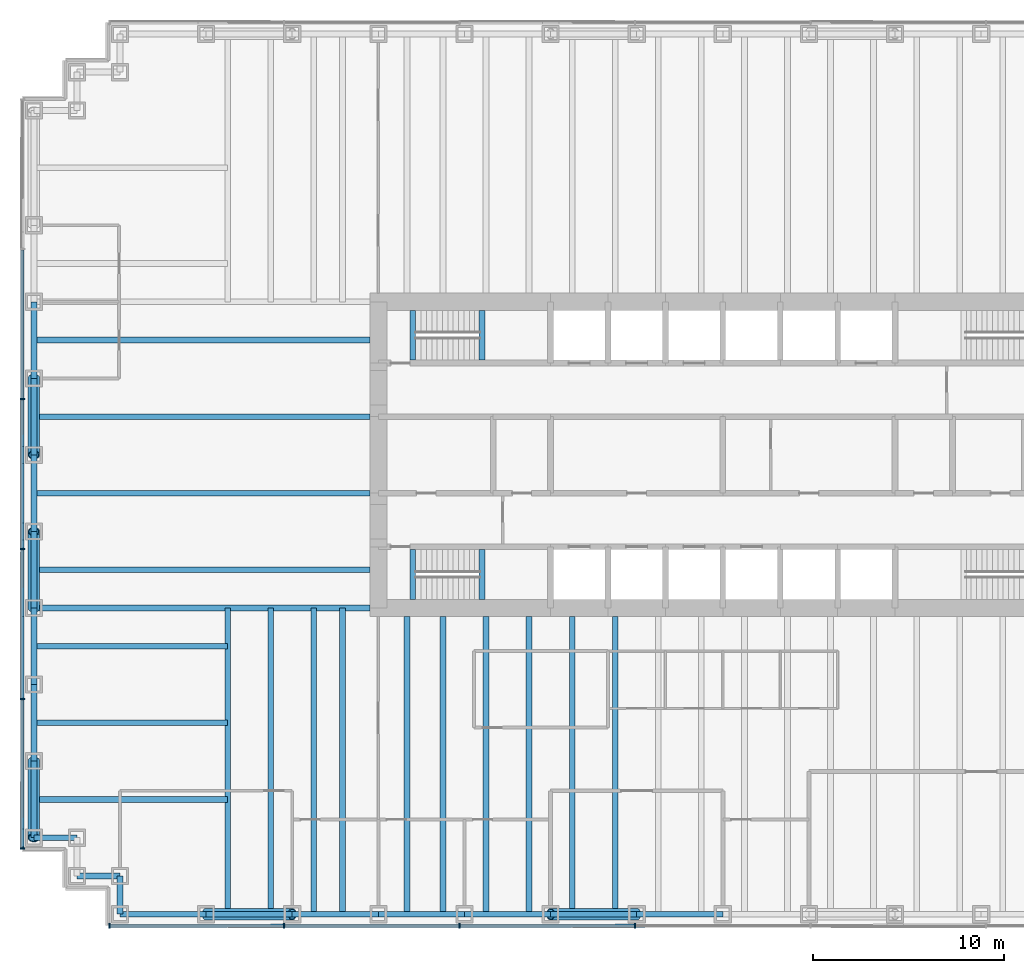
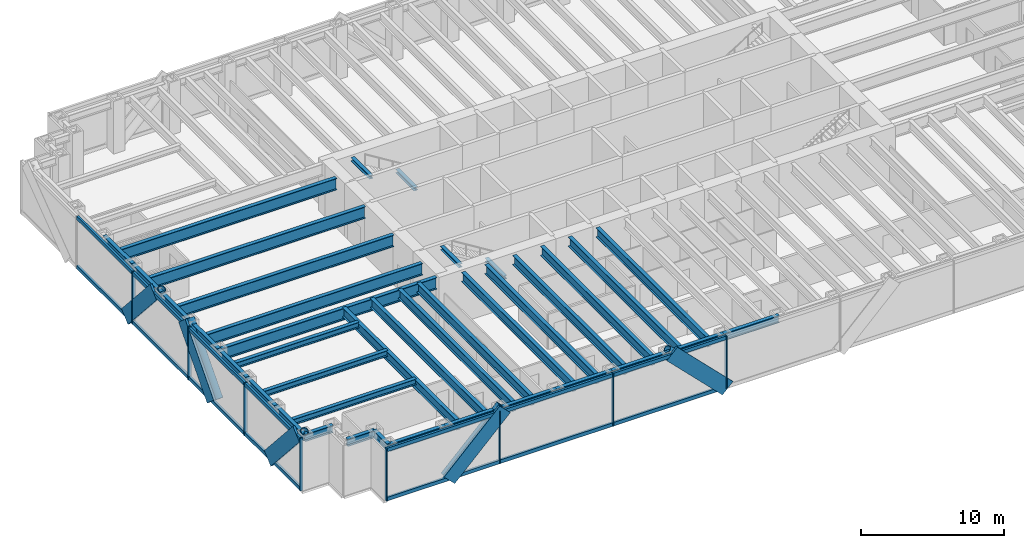
# One storey, part 2 of 13: 39 beams, 32 members, 2 elements without a shape of their own.
"""IFC4 building model written with IfcOpenShell, lengths in metres."""

from ifc_helpers import new_model, si_unit, direction, frame, origin, origin_2d, place, context, subcontext, project, spatial, rectangle, hollow_circle, i_section, extrude, material, material_profile, profile_set, type_object, element, aggregate, save


model = new_model("IFC4")

# Units and contexts
model_context = context("Model", 3, precision=1e-05, world=origin(), true_north=direction((0.0, 1.0)))
body_context = subcontext(model_context, "Body", "Model", "MODEL_VIEW")
ifc_project = project(units=[si_unit("LENGTHUNIT", "METRE"), si_unit("AREAUNIT", "SQUARE_METRE"), si_unit("VOLUMEUNIT", "CUBIC_METRE"), si_unit("PLANEANGLEUNIT", "RADIAN"), si_unit("MASSUNIT", "GRAM", prefix="KILO")], contexts=[model_context])

# Site, building, storey
site_placement = place(None, origin())
site = spatial("IfcSite", under=ifc_project, at=site_placement, CompositionType="ELEMENT")
building_placement = place(site_placement, origin())
building = spatial("IfcBuilding", under=site, at=building_placement, Name="Rheinbord Bourse Tower", CompositionType="ELEMENT")
storey_placement = place(building_placement, frame((0.0, 0.0, 36.5)))
storey = spatial("IfcBuildingStorey", under=building, at=storey_placement, Name="L07", CompositionType="ELEMENT", Elevation=36.5)

# Curtain wall, members
ifc_material_1 = material(Name="Dark glass and black aluminium", Category="aluminium")
curtain_wall_type = type_object("IfcCurtainWallType", Name="CW1 DARK GLASS CURTAIN WALL", PredefinedType="USERDEFINED", material=ifc_material_1)
curtain_wall_1_placement = place(storey_placement, origin())
curtain_wall_1 = element("IfcCurtainWall", 1, at=curtain_wall_1_placement, inside=storey, type_object=curtain_wall_type, Name="Curtain wall CW1 S L07", ObjectType="UNITISED CURTAIN WALL", PredefinedType="USERDEFINED")
ifc_material_2 = material(Name="Black anodised aluminium", Category="aluminium")
ifc_material_profile_1 = material_profile(ifc_material_2, rectangle(XDim=0.179931640625, YDim=1.2099609375, at=origin_2d()), Name="CW1 DIAGONAL MULLION 1210x180")
ifc_profile_set_1 = profile_set([ifc_material_profile_1], Name="Black anodised aluminium")
member_type_1 = type_object("IfcMemberType", Name="CW1 BLACK DIAGONAL MULLION", PredefinedType="USERDEFINED", material=ifc_profile_set_1)
member_1_placement = place(storey_placement, frame((31.5, -0.60009765625, 0.0), z_axis=(-0.707106781187, 0.0, 0.707106781187), x_axis=(0.0, -1.0, 0.0)))
member_1 = element("IfcMember", 2, at=member_1_placement, type_object=member_type_1, Name="CW1 diagonal mullion b", ObjectType="DIAGONAL MULLION", PredefinedType="USERDEFINED", context=body_context, shape_type="SweptSolid", body=[
    extrude(rectangle(XDim=0.179931640625, YDim=1.2099609375, at=origin_2d()), origin(), (0.0, 0.0, 1.0), 6.364013671875),
])
member_2_placement = place(storey_placement, frame((9.0, -0.60009765625, 0.0), z_axis=(0.707106781187, 0.0, 0.707106781187), x_axis=(0.0, 1.0, 0.0)))
member_2 = element("IfcMember", 3, at=member_2_placement, type_object=member_type_1, Name="CW1 diagonal mullion d", ObjectType="DIAGONAL MULLION", PredefinedType="USERDEFINED", context=body_context, shape_type="SweptSolid", body=[
    extrude(rectangle(XDim=0.179931640625, YDim=1.2099609375, at=origin_2d()), origin(), (0.0, 0.0, 1.0), 6.364013671875),
])

curtain_wall_2_placement = place(storey_placement, origin())
curtain_wall_2 = element("IfcCurtainWall", 4, at=curtain_wall_2_placement, inside=storey, type_object=curtain_wall_type, Name="Curtain wall CW1 W L07", ObjectType="UNITISED CURTAIN WALL", PredefinedType="USERDEFINED")
member_3_placement = place(storey_placement, frame((-0.60009765625, 8.0, 0.0), z_axis=(0.0, -0.66436383883, 0.747409318684), x_axis=(1.0, 0.0, 0.0)))
member_3 = element("IfcMember", 5, at=member_3_placement, type_object=member_type_1, Name="CW1 diagonal mullion b", ObjectType="DIAGONAL MULLION", PredefinedType="USERDEFINED", context=body_context, shape_type="SweptSolid", body=[
    extrude(rectangle(XDim=0.179931640625, YDim=1.2099609375, at=origin_2d()), origin(), (0.0, 0.0, 1.0), 6.020751953125),
])
member_4_placement = place(storey_placement, frame((-0.60009765625, 28.0, 0.0), z_axis=(0.0, -0.66436383883, 0.747409318684), x_axis=(1.0, 0.0, 0.0)))
member_4 = element("IfcMember", 6, at=member_4_placement, type_object=member_type_1, Name="CW1 diagonal mullion c", ObjectType="DIAGONAL MULLION", PredefinedType="USERDEFINED", context=body_context, shape_type="SweptSolid", body=[
    extrude(rectangle(XDim=0.179931640625, YDim=1.2099609375, at=origin_2d()), origin(), (0.0, 0.0, 1.0), 6.020751953125),
])
member_5_placement = place(storey_placement, frame((-0.60009765625, 16.0, 0.0), z_axis=(0.0, 0.66436383883, 0.747409318684), x_axis=(-1.0, 0.0, 0.0)))
member_5 = element("IfcMember", 7, at=member_5_placement, type_object=member_type_1, Name="CW1 diagonal mullion d", ObjectType="DIAGONAL MULLION", PredefinedType="USERDEFINED", context=body_context, shape_type="SweptSolid", body=[
    extrude(rectangle(XDim=0.179931640625, YDim=1.2099609375, at=origin_2d()), origin(), (0.0, 0.0, 1.0), 6.020751953125),
])

# Member
ifc_material_3 = material(Name="Black anodised aluminium", Category="aluminium")
ifc_material_profile_2 = material_profile(ifc_material_3, rectangle(XDim=0.25, YDim=0.080078125, at=origin_2d()), Name="CW1 MULLION 80x250")
ifc_profile_set_2 = profile_set([ifc_material_profile_2], Name="Black anodised aluminium")
member_type_2 = type_object("IfcMemberType", Name="CW1 BLACK MULLION", PredefinedType="MULLION", material=ifc_profile_set_2)
member_6_placement = place(storey_placement, frame((3.93994140625, -0.60009765625, 0.0), z_axis=(0.0, 0.0, 1.0), x_axis=(0.0, 1.0, 0.0)))
member_6 = element("IfcMember", 8, at=member_6_placement, type_object=member_type_2, Name="CW1 mullion 1", PredefinedType="MULLION", context=body_context, shape_type="SweptSolid", body=[
    extrude(rectangle(XDim=0.25, YDim=0.080078125, at=origin_2d()), origin(), (0.0, 0.0, 1.0), 4.5),
])

member_7_placement = place(storey_placement, frame((13.071533203125, -0.60009765625, 0.0), z_axis=(0.0, 0.0, 1.0), x_axis=(0.0, 1.0, 0.0)))
member_7 = element("IfcMember", 9, at=member_7_placement, type_object=member_type_2, Name="CW1 mullion 2", PredefinedType="MULLION", context=body_context, shape_type="SweptSolid", body=[
    extrude(rectangle(XDim=0.25, YDim=0.080078125, at=origin_2d()), origin(), (0.0, 0.0, 1.0), 4.5),
])

member_8_placement = place(storey_placement, frame((22.242919921875, -0.60009765625, 0.0), z_axis=(0.0, 0.0, 1.0), x_axis=(0.0, 1.0, 0.0)))
member_8 = element("IfcMember", 10, at=member_8_placement, type_object=member_type_2, Name="CW1 mullion 3", PredefinedType="MULLION", context=body_context, shape_type="SweptSolid", body=[
    extrude(rectangle(XDim=0.25, YDim=0.080078125, at=origin_2d()), origin(), (0.0, 0.0, 1.0), 4.5),
])

member_9_placement = place(storey_placement, frame((31.414306640625, -0.60009765625, 0.0), z_axis=(0.0, 0.0, 1.0), x_axis=(0.0, 1.0, 0.0)))
member_9 = element("IfcMember", 11, at=member_9_placement, type_object=member_type_2, Name="CW1 mullion 4", PredefinedType="MULLION", context=body_context, shape_type="SweptSolid", body=[
    extrude(rectangle(XDim=0.25, YDim=0.080078125, at=origin_2d()), origin(), (0.0, 0.0, 1.0), 4.5),
])

member_10_placement = place(storey_placement, frame((-0.60009765625, 26.919921875, 0.0), z_axis=(0.0, 0.0, 1.0), x_axis=(1.0, 0.0, 0.0)))
member_10 = element("IfcMember", 12, at=member_10_placement, type_object=member_type_2, Name="CW1 mullion 3", PredefinedType="MULLION", context=body_context, shape_type="SweptSolid", body=[
    extrude(rectangle(XDim=0.25, YDim=0.080078125, at=origin_2d()), origin(), (0.0, 0.0, 1.0), 4.5),
])

member_11_placement = place(storey_placement, frame((-0.60009765625, 19.080078125, 0.0), z_axis=(0.0, 0.0, 1.0), x_axis=(1.0, 0.0, 0.0)))
member_11 = element("IfcMember", 13, at=member_11_placement, type_object=member_type_2, Name="CW1 mullion 4", PredefinedType="MULLION", context=body_context, shape_type="SweptSolid", body=[
    extrude(rectangle(XDim=0.25, YDim=0.080078125, at=origin_2d()), origin(), (0.0, 0.0, 1.0), 4.5),
])

member_12_placement = place(storey_placement, frame((-0.60009765625, 11.239990234375, 0.0), z_axis=(0.0, 0.0, 1.0), x_axis=(1.0, 0.0, 0.0)))
member_12 = element("IfcMember", 14, at=member_12_placement, type_object=member_type_2, Name="CW1 mullion 5", PredefinedType="MULLION", context=body_context, shape_type="SweptSolid", body=[
    extrude(rectangle(XDim=0.25, YDim=0.080078125, at=origin_2d()), origin(), (0.0, 0.0, 1.0), 4.5),
])

member_13_placement = place(storey_placement, frame((-0.60009765625, 3.43994140625, 0.0), z_axis=(0.0, 0.0, 1.0), x_axis=(1.0, 0.0, 0.0)))
member_13 = element("IfcMember", 15, at=member_13_placement, type_object=member_type_2, Name="CW1 mullion 6", PredefinedType="MULLION", context=body_context, shape_type="SweptSolid", body=[
    extrude(rectangle(XDim=0.25, YDim=0.080078125, at=origin_2d()), origin(), (0.0, 0.0, 1.0), 4.5),
])

ifc_material_4 = material(Name="Black anodised aluminium", Category="aluminium")
ifc_material_profile_3 = material_profile(ifc_material_4, rectangle(XDim=0.179931640625, YDim=0.300048828125, at=origin_2d()), Name="CW1 TRANSOM 300x180")
ifc_profile_set_3 = profile_set([ifc_material_profile_3], Name="Black anodised aluminium")
member_type_3 = type_object("IfcMemberType", Name="CW1 BLACK TRANSOM", PredefinedType="USERDEFINED", material=ifc_profile_set_3)
member_14_placement = place(storey_placement, frame((3.97998046875, -0.60009765625, 0.14990234375), z_axis=(1.0, 0.0, 0.0), x_axis=(0.0, 1.0, 0.0)))
member_14 = element("IfcMember", 16, at=member_14_placement, type_object=member_type_3, Name="CW1 transom 1.1", ObjectType="TRANSOM", PredefinedType="USERDEFINED", context=body_context, shape_type="SweptSolid", body=[
    extrude(rectangle(XDim=0.179931640625, YDim=0.300048828125, at=origin_2d()), origin(), (0.0, 0.0, 1.0), 9.051513671875),
])

member_15_placement = place(storey_placement, frame((3.97998046875, -0.60009765625, 4.35009765625), z_axis=(1.0, 0.0, 0.0), x_axis=(0.0, 1.0, 0.0)))
member_15 = element("IfcMember", 17, at=member_15_placement, type_object=member_type_3, Name="CW1 transom 1.2", ObjectType="TRANSOM", PredefinedType="USERDEFINED", context=body_context, shape_type="SweptSolid", body=[
    extrude(rectangle(XDim=0.179931640625, YDim=0.300048828125, at=origin_2d()), origin(), (0.0, 0.0, 1.0), 9.051513671875),
])

member_16_placement = place(storey_placement, frame((13.111328125, -0.60009765625, 0.14990234375), z_axis=(1.0, 0.0, 0.0), x_axis=(0.0, 1.0, 0.0)))
member_16 = element("IfcMember", 18, at=member_16_placement, type_object=member_type_3, Name="CW1 transom 2.1", ObjectType="TRANSOM", PredefinedType="USERDEFINED", context=body_context, shape_type="SweptSolid", body=[
    extrude(rectangle(XDim=0.179931640625, YDim=0.300048828125, at=origin_2d()), origin(), (0.0, 0.0, 1.0), 9.091552734375),
])

member_17_placement = place(storey_placement, frame((13.111328125, -0.60009765625, 4.35009765625), z_axis=(1.0, 0.0, 0.0), x_axis=(0.0, 1.0, 0.0)))
member_17 = element("IfcMember", 19, at=member_17_placement, type_object=member_type_3, Name="CW1 transom 2.2", ObjectType="TRANSOM", PredefinedType="USERDEFINED", context=body_context, shape_type="SweptSolid", body=[
    extrude(rectangle(XDim=0.179931640625, YDim=0.300048828125, at=origin_2d()), origin(), (0.0, 0.0, 1.0), 9.091552734375),
])

member_18_placement = place(storey_placement, frame((22.282958984375, -0.60009765625, 0.14990234375), z_axis=(1.0, 0.0, 0.0), x_axis=(0.0, 1.0, 0.0)))
member_18 = element("IfcMember", 20, at=member_18_placement, type_object=member_type_3, Name="CW1 transom 3.1", ObjectType="TRANSOM", PredefinedType="USERDEFINED", context=body_context, shape_type="SweptSolid", body=[
    extrude(rectangle(XDim=0.179931640625, YDim=0.300048828125, at=origin_2d()), origin(), (0.0, 0.0, 1.0), 9.09130859375),
])

member_19_placement = place(storey_placement, frame((22.282958984375, -0.60009765625, 4.35009765625), z_axis=(1.0, 0.0, 0.0), x_axis=(0.0, 1.0, 0.0)))
member_19 = element("IfcMember", 21, at=member_19_placement, type_object=member_type_3, Name="CW1 transom 3.2", ObjectType="TRANSOM", PredefinedType="USERDEFINED", context=body_context, shape_type="SweptSolid", body=[
    extrude(rectangle(XDim=0.179931640625, YDim=0.300048828125, at=origin_2d()), origin(), (0.0, 0.0, 1.0), 9.09130859375),
])

aggregate(curtain_wall_1, [member_6, member_7, member_8, member_9, member_14, member_15, member_16, member_17, member_18, member_19, member_1, member_2])

member_20_placement = place(storey_placement, frame((-0.60009765625, 34.719970703125, 0.14990234375), z_axis=(0.0, -1.0, 0.0), x_axis=(1.0, 0.0, 0.0)))
member_20 = element("IfcMember", 22, at=member_20_placement, type_object=member_type_3, Name="CW1 transom 2.1", ObjectType="TRANSOM", PredefinedType="USERDEFINED", context=body_context, shape_type="SweptSolid", body=[
    extrude(rectangle(XDim=0.179931640625, YDim=0.300048828125, at=origin_2d()), origin(), (0.0, 0.0, 1.0), 7.760009765625),
])

member_21_placement = place(storey_placement, frame((-0.60009765625, 34.719970703125, 4.35009765625), z_axis=(0.0, -1.0, 0.0), x_axis=(1.0, 0.0, 0.0)))
member_21 = element("IfcMember", 23, at=member_21_placement, type_object=member_type_3, Name="CW1 transom 2.2", ObjectType="TRANSOM", PredefinedType="USERDEFINED", context=body_context, shape_type="SweptSolid", body=[
    extrude(rectangle(XDim=0.179931640625, YDim=0.300048828125, at=origin_2d()), origin(), (0.0, 0.0, 1.0), 7.760009765625),
])

member_22_placement = place(storey_placement, frame((-0.60009765625, 26.8798828125, 0.14990234375), z_axis=(0.0, -1.0, 0.0), x_axis=(1.0, 0.0, 0.0)))
member_22 = element("IfcMember", 24, at=member_22_placement, type_object=member_type_3, Name="CW1 transom 3.1", ObjectType="TRANSOM", PredefinedType="USERDEFINED", context=body_context, shape_type="SweptSolid", body=[
    extrude(rectangle(XDim=0.179931640625, YDim=0.300048828125, at=origin_2d()), origin(), (0.0, 0.0, 1.0), 7.759765625),
])

member_23_placement = place(storey_placement, frame((-0.60009765625, 26.8798828125, 4.35009765625), z_axis=(0.0, -1.0, 0.0), x_axis=(1.0, 0.0, 0.0)))
member_23 = element("IfcMember", 25, at=member_23_placement, type_object=member_type_3, Name="CW1 transom 3.2", ObjectType="TRANSOM", PredefinedType="USERDEFINED", context=body_context, shape_type="SweptSolid", body=[
    extrude(rectangle(XDim=0.179931640625, YDim=0.300048828125, at=origin_2d()), origin(), (0.0, 0.0, 1.0), 7.759765625),
])

member_24_placement = place(storey_placement, frame((-0.60009765625, 19.0400390625, 0.14990234375), z_axis=(0.0, -1.0, 0.0), x_axis=(1.0, 0.0, 0.0)))
member_24 = element("IfcMember", 26, at=member_24_placement, type_object=member_type_3, Name="CW1 transom 4.1", ObjectType="TRANSOM", PredefinedType="USERDEFINED", context=body_context, shape_type="SweptSolid", body=[
    extrude(rectangle(XDim=0.179931640625, YDim=0.300048828125, at=origin_2d()), origin(), (0.0, 0.0, 1.0), 7.760009765625),
])

member_25_placement = place(storey_placement, frame((-0.60009765625, 19.0400390625, 4.35009765625), z_axis=(0.0, -1.0, 0.0), x_axis=(1.0, 0.0, 0.0)))
member_25 = element("IfcMember", 27, at=member_25_placement, type_object=member_type_3, Name="CW1 transom 4.2", ObjectType="TRANSOM", PredefinedType="USERDEFINED", context=body_context, shape_type="SweptSolid", body=[
    extrude(rectangle(XDim=0.179931640625, YDim=0.300048828125, at=origin_2d()), origin(), (0.0, 0.0, 1.0), 7.760009765625),
])

member_26_placement = place(storey_placement, frame((-0.60009765625, 11.199951171875, 0.14990234375), z_axis=(0.0, -1.0, 0.0), x_axis=(1.0, 0.0, 0.0)))
member_26 = element("IfcMember", 28, at=member_26_placement, type_object=member_type_3, Name="CW1 transom 5.1", ObjectType="TRANSOM", PredefinedType="USERDEFINED", context=body_context, shape_type="SweptSolid", body=[
    extrude(rectangle(XDim=0.179931640625, YDim=0.300048828125, at=origin_2d()), origin(), (0.0, 0.0, 1.0), 7.719970703125),
])

member_27_placement = place(storey_placement, frame((-0.60009765625, 11.199951171875, 4.35009765625), z_axis=(0.0, -1.0, 0.0), x_axis=(1.0, 0.0, 0.0)))
member_27 = element("IfcMember", 29, at=member_27_placement, type_object=member_type_3, Name="CW1 transom 5.2", ObjectType="TRANSOM", PredefinedType="USERDEFINED", context=body_context, shape_type="SweptSolid", body=[
    extrude(rectangle(XDim=0.179931640625, YDim=0.300048828125, at=origin_2d()), origin(), (0.0, 0.0, 1.0), 7.719970703125),
])

aggregate(curtain_wall_2, [member_10, member_11, member_12, member_13, member_20, member_21, member_22, member_23, member_24, member_25, member_26, member_27, member_3, member_4, member_5])

# Beams
ifc_material_5 = material(Name="Steel S460", Category="steel")
ifc_material_profile_4 = material_profile(ifc_material_5, i_section(OverallWidth=0.302001953125, OverallDepth=1.008056640625, WebThickness=0.02099609375, FlangeThickness=0.0400390625, at=origin_2d()), Name="HEM 1000")
ifc_profile_set_4 = profile_set([ifc_material_profile_4], Name="Steel S460")
beam_type_1 = type_object("IfcBeamType", Name="END BEAM HEM 1000", PredefinedType="BEAM", material=ifc_profile_set_4)
for number, where, z_axis, x_axis, name in (
    (30, (0.0, 18.0, 3.81591796875), (1.0, 0.0, 0.0), (0.0, 1.0, 0.0), "End beam west 18 L08"),
    (31, (0.0, 22.0, 3.81591796875), (1.0, 0.0, 0.0), (0.0, 1.0, 0.0), "End beam west 22 L08"),
    (32, (0.0, 26.0, 3.81591796875), (1.0, 0.0, 0.0), (0.0, 1.0, 0.0), "End beam west 26 L08"),
    (33, (0.0, 30.0, 3.81591796875), (1.0, 0.0, 0.0), (0.0, 1.0, 0.0), "End beam west 30 L08"),
):
    element("IfcBeam", number, at=place(storey_placement, frame(where, z_axis=z_axis, x_axis=x_axis)), inside=storey, type_object=beam_type_1, Name=name, PredefinedType="BEAM", context=body_context, shape_type="SweptSolid", body=[
        extrude(i_section(OverallWidth=0.302001953125, OverallDepth=1.008056640625, WebThickness=0.02099609375, FlangeThickness=0.0400390625, at=origin_2d()), origin(), (0.0, 0.0, 1.0), 17.550048828125),
    ])
ifc_material_6 = material(Name="Steel S460", Category="steel")
ifc_material_profile_5 = material_profile(ifc_material_6, i_section(OverallWidth=0.300048828125, OverallDepth=0.800048828125, WebThickness=0.017578125, FlangeThickness=0.032958984375, at=origin_2d()), Name="HEB 800")
ifc_profile_set_5 = profile_set([ifc_material_profile_5], Name="Steel S460")
beam_type_2 = type_object("IfcBeamType", Name="FLOOR BEAM HEB 800", PredefinedType="BEAM", material=ifc_profile_set_5)
for number, where, z_axis, x_axis, name in (
    (34, (10.125, 0.0, 3.919921875), (0.0, 1.0, 0.0), (-1.0, 0.0, 0.0), "Floor beam S-9a L08"),
    (35, (12.375, 0.0, 3.919921875), (0.0, 1.0, 0.0), (-1.0, 0.0, 0.0), "Floor beam S-9b L08"),
    (36, (14.625, 0.0, 3.919921875), (0.0, 1.0, 0.0), (-1.0, 0.0, 0.0), "Floor beam S-13.5a L08"),
    (37, (16.125, 0.0, 3.919921875), (0.0, 1.0, 0.0), (-1.0, 0.0, 0.0), "Floor beam S-13.5b L08"),
):
    element("IfcBeam", number, at=place(storey_placement, frame(where, z_axis=z_axis, x_axis=x_axis)), inside=storey, type_object=beam_type_2, Name=name, PredefinedType="BEAM", context=body_context, shape_type="SweptSolid", body=[
        extrude(i_section(OverallWidth=0.300048828125, OverallDepth=0.800048828125, WebThickness=0.017578125, FlangeThickness=0.032958984375, at=origin_2d()), origin(), (0.0, 0.0, 1.0), 16.0),
    ])
for number, where, z_axis, x_axis, name in (
    (38, (19.5, 0.0, 3.919921875), (0.0, 1.0, 0.0), (-1.0, 0.0, 0.0), "Floor beam S-18a L08"),
    (39, (21.375, 0.0, 3.919921875), (0.0, 1.0, 0.0), (-1.0, 0.0, 0.0), "Floor beam S-18b L08"),
    (40, (23.625, 0.0, 3.919921875), (0.0, 1.0, 0.0), (-1.0, 0.0, 0.0), "Floor beam S-22.5a L08"),
    (41, (25.875, 0.0, 3.919921875), (0.0, 1.0, 0.0), (-1.0, 0.0, 0.0), "Floor beam S-22.5b L08"),
    (42, (28.125, 0.0, 3.919921875), (0.0, 1.0, 0.0), (-1.0, 0.0, 0.0), "Floor beam S-27a L08"),
    (43, (30.375, 0.0, 3.919921875), (0.0, 1.0, 0.0), (-1.0, 0.0, 0.0), "Floor beam S-27b L08"),
):
    element("IfcBeam", number, at=place(storey_placement, frame(where, z_axis=z_axis, x_axis=x_axis)), inside=storey, type_object=beam_type_2, Name=name, PredefinedType="BEAM", context=body_context, shape_type="SweptSolid", body=[
        extrude(i_section(OverallWidth=0.300048828125, OverallDepth=0.800048828125, WebThickness=0.017578125, FlangeThickness=0.032958984375, at=origin_2d()), origin(), (0.0, 0.0, 1.0), 15.550048828125),
    ])
ifc_material_7 = material(Name="Steel S460", Category="steel")
ifc_material_profile_6 = material_profile(ifc_material_7, i_section(OverallWidth=0.302001953125, OverallDepth=1.008056640625, WebThickness=0.02099609375, FlangeThickness=0.0400390625, at=origin_2d()), Name="HEM 1000")
ifc_profile_set_6 = profile_set([ifc_material_profile_6], Name="Steel S460")
beam_type_3 = type_object("IfcBeamType", Name="GIRDER HEM 1000", PredefinedType="BEAM", material=ifc_profile_set_6)
beam_1_placement = place(storey_placement, frame((0.0, 16.0, 3.81591796875), z_axis=(1.0, 0.0, 0.0), x_axis=(0.0, 1.0, 0.0)))
element("IfcBeam", 44, at=beam_1_placement, inside=storey, type_object=beam_type_3, Name="Girder west 16 L08", PredefinedType="BEAM", context=body_context, shape_type="SweptSolid", body=[
    extrude(i_section(OverallWidth=0.302001953125, OverallDepth=1.008056640625, WebThickness=0.02099609375, FlangeThickness=0.0400390625, at=origin_2d()), origin(), (0.0, 0.0, 1.0), 17.550048828125),
])
ifc_material_8 = material(Name="Steel S460", Category="steel")
ifc_material_profile_7 = material_profile(ifc_material_8, i_section(OverallWidth=0.300048828125, OverallDepth=0.300048828125, WebThickness=0.010986328125, FlangeThickness=0.01904296875, at=origin_2d()), Name="HEB 300")
ifc_profile_set_7 = profile_set([ifc_material_profile_7], Name="Steel S460")
beam_type_4 = type_object("IfcBeamType", Name="LANDING TRIMMER HEB 300", PredefinedType="BEAM", material=ifc_profile_set_7)
for number, where, z_axis, x_axis, name in (
    (45, (23.409912109375, 16.449951171875, 1.89990234375), (0.0, 1.0, 0.0), (-1.0, 0.0, 0.0), "Landing trimmer ST1 L07"),
    (46, (19.800048828125, 16.449951171875, 4.169921875), (0.0, 1.0, 0.0), (-1.0, 0.0, 0.0), "Well trimmer ST1 under L08"),
    (47, (23.409912109375, 28.949951171875, 1.89990234375), (0.0, 1.0, 0.0), (-1.0, 0.0, 0.0), "Landing trimmer ST2 L07"),
    (48, (19.800048828125, 28.949951171875, 4.169921875), (0.0, 1.0, 0.0), (-1.0, 0.0, 0.0), "Well trimmer ST2 under L08"),
):
    element("IfcBeam", number, at=place(storey_placement, frame(where, z_axis=z_axis, x_axis=x_axis)), inside=storey, type_object=beam_type_4, Name=name, PredefinedType="BEAM", context=body_context, shape_type="SweptSolid", body=[
        extrude(i_section(OverallWidth=0.300048828125, OverallDepth=0.300048828125, WebThickness=0.010986328125, FlangeThickness=0.01904296875, at=origin_2d()), origin(), (0.0, 0.0, 1.0), 2.60009765625),
    ])

# Members
ifc_material_9 = material(Name="Steel S460", Category="steel")
ifc_material_profile_8 = material_profile(ifc_material_9, hollow_circle(Radius=0.304931640625, WallThickness=0.050048828125, at=origin_2d()), Name="CHS 610x50")
ifc_profile_set_8 = profile_set([ifc_material_profile_8], Name="Steel S460")
member_type_4 = type_object("IfcMemberType", Name="MEGABRACE CHS 610x50", PredefinedType="BRACE", material=ifc_profile_set_8)
for number, where, z_axis, x_axis, name in (
    (49, (31.5, 0.0, 0.0), (-0.707106781187, 0.0, 0.707106781187), (0.0, -1.0, 0.0), "Megabrace S face line b L07"),
    (50, (9.0, 0.0, 0.0), (0.707106781187, 0.0, 0.707106781187), (0.0, 1.0, 0.0), "Megabrace S face line d L07"),
):
    element("IfcMember", number, at=place(storey_placement, frame(where, z_axis=z_axis, x_axis=x_axis)), inside=storey, type_object=member_type_4, Name=name, PredefinedType="BRACE", context=body_context, shape_type="SweptSolid", body=[
        extrude(hollow_circle(Radius=0.304931640625, WallThickness=0.050048828125, at=origin_2d()), origin(), (0.0, 0.0, 1.0), 6.364013671875),
    ])
for number, where, z_axis, x_axis, name in (
    (51, (0.0, 8.0, 0.0), (0.0, -0.66436383883, 0.747409318684), (1.0, 0.0, 0.0), "Megabrace W face line b L07"),
    (52, (0.0, 28.0, 0.0), (0.0, -0.66436383883, 0.747409318684), (1.0, 0.0, 0.0), "Megabrace W face line c L07"),
    (53, (0.0, 16.0, 0.0), (0.0, 0.66436383883, 0.747409318684), (-1.0, 0.0, 0.0), "Megabrace W face line d L07"),
):
    element("IfcMember", number, at=place(storey_placement, frame(where, z_axis=z_axis, x_axis=x_axis)), inside=storey, type_object=member_type_4, Name=name, PredefinedType="BRACE", context=body_context, shape_type="SweptSolid", body=[
        extrude(hollow_circle(Radius=0.304931640625, WallThickness=0.050048828125, at=origin_2d()), origin(), (0.0, 0.0, 1.0), 6.020751953125),
    ])

# Beams
ifc_material_10 = material(Name="Steel S460", Category="steel")
ifc_material_profile_9 = material_profile(ifc_material_10, i_section(OverallWidth=0.304931640625, OverallDepth=0.6201171875, WebThickness=0.02099609375, FlangeThickness=0.0400390625, at=origin_2d()), Name="HEM 600")
ifc_profile_set_9 = profile_set([ifc_material_profile_9], Name="Steel S460")
beam_type_5 = type_object("IfcBeamType", Name="SPANDREL HEM 600", PredefinedType="SPANDREL", material=ifc_profile_set_9)
for number, where, z_axis, x_axis, name in (
    (54, (4.5, 0.0, 4.010009765625), (1.0, 0.0, 0.0), (0.0, 1.0, 0.0), "Spandrel SW-E-S-9 under L08"),
    (55, (9.0, 0.0, 4.010009765625), (1.0, 0.0, 0.0), (0.0, 1.0, 0.0), "Spandrel S-9-S-13.5 under L08"),
    (56, (13.5, 0.0, 4.010009765625), (1.0, 0.0, 0.0), (0.0, 1.0, 0.0), "Spandrel S-13.5-S-18 under L08"),
    (57, (18.0, 0.0, 4.010009765625), (1.0, 0.0, 0.0), (0.0, 1.0, 0.0), "Spandrel S-18-S-22.5 under L08"),
    (58, (22.5, 0.0, 4.010009765625), (1.0, 0.0, 0.0), (0.0, 1.0, 0.0), "Spandrel S-22.5-S-27 under L08"),
    (59, (27.0, 0.0, 4.010009765625), (1.0, 0.0, 0.0), (0.0, 1.0, 0.0), "Spandrel S-27-S-31.5 under L08"),
    (60, (31.5, 0.0, 4.010009765625), (1.0, 0.0, 0.0), (0.0, 1.0, 0.0), "Spandrel S-31.5-S-36 under L08"),
):
    element("IfcBeam", number, at=place(storey_placement, frame(where, z_axis=z_axis, x_axis=x_axis)), inside=storey, type_object=beam_type_5, Name=name, PredefinedType="SPANDREL", context=body_context, shape_type="SweptSolid", body=[
        extrude(i_section(OverallWidth=0.304931640625, OverallDepth=0.6201171875, WebThickness=0.02099609375, FlangeThickness=0.0400390625, at=origin_2d()), origin(), (0.0, 0.0, 1.0), 4.5),
    ])
for number, where, z_axis, x_axis, name in (
    (61, (0.0, 32.0, 4.010009765625), (0.0, -1.0, 0.0), (1.0, 0.0, 0.0), "Spandrel W-32-W-28 under L08"),
    (62, (0.0, 28.0, 4.010009765625), (0.0, -1.0, 0.0), (1.0, 0.0, 0.0), "Spandrel W-28-W-24 under L08"),
    (63, (0.0, 24.0, 4.010009765625), (0.0, -1.0, 0.0), (1.0, 0.0, 0.0), "Spandrel W-24-W-20 under L08"),
    (64, (0.0, 20.0, 4.010009765625), (0.0, -1.0, 0.0), (1.0, 0.0, 0.0), "Spandrel W-20-W-16 under L08"),
    (65, (0.0, 16.0, 4.010009765625), (0.0, -1.0, 0.0), (1.0, 0.0, 0.0), "Spandrel W-16-W-12 under L08"),
    (66, (0.0, 12.0, 4.010009765625), (0.0, -1.0, 0.0), (1.0, 0.0, 0.0), "Spandrel W-12-W-8 under L08"),
    (67, (0.0, 8.0, 4.010009765625), (0.0, -1.0, 0.0), (1.0, 0.0, 0.0), "Spandrel W-8-SW-A under L08"),
):
    element("IfcBeam", number, at=place(storey_placement, frame(where, z_axis=z_axis, x_axis=x_axis)), inside=storey, type_object=beam_type_5, Name=name, PredefinedType="SPANDREL", context=body_context, shape_type="SweptSolid", body=[
        extrude(i_section(OverallWidth=0.304931640625, OverallDepth=0.6201171875, WebThickness=0.02099609375, FlangeThickness=0.0400390625, at=origin_2d()), origin(), (0.0, 0.0, 1.0), 4.0),
    ])
for number, where, z_axis, x_axis, name in (
    (68, (0.0, 4.0, 4.010009765625), (1.0, 0.0, 0.0), (0.0, 1.0, 0.0), "Spandrel SW-A-SW-B under L08"),
    (69, (2.25, 2.0, 4.010009765625), (1.0, 0.0, 0.0), (0.0, 1.0, 0.0), "Spandrel SW-C-SW-D under L08"),
):
    element("IfcBeam", number, at=place(storey_placement, frame(where, z_axis=z_axis, x_axis=x_axis)), inside=storey, type_object=beam_type_5, Name=name, PredefinedType="SPANDREL", context=body_context, shape_type="SweptSolid", body=[
        extrude(i_section(OverallWidth=0.304931640625, OverallDepth=0.6201171875, WebThickness=0.02099609375, FlangeThickness=0.0400390625, at=origin_2d()), origin(), (0.0, 0.0, 1.0), 2.25),
    ])
beam_2_placement = place(storey_placement, frame((4.5, 2.0, 4.010009765625), z_axis=(0.0, -1.0, 0.0), x_axis=(1.0, 0.0, 0.0)))
element("IfcBeam", 70, at=beam_2_placement, inside=storey, type_object=beam_type_5, Name="Spandrel SW-D-SW-E under L08", PredefinedType="SPANDREL", context=body_context, shape_type="SweptSolid", body=[
    extrude(i_section(OverallWidth=0.304931640625, OverallDepth=0.6201171875, WebThickness=0.02099609375, FlangeThickness=0.0400390625, at=origin_2d()), origin(), (0.0, 0.0, 1.0), 2.0),
])
ifc_material_11 = material(Name="Steel S460", Category="steel")
ifc_material_profile_10 = material_profile(ifc_material_11, i_section(OverallWidth=0.300048828125, OverallDepth=0.5, WebThickness=0.014404296875, FlangeThickness=0.028076171875, at=origin_2d()), Name="HEB 500")
ifc_profile_set_10 = profile_set([ifc_material_profile_10], Name="Steel S460")
beam_type_6 = type_object("IfcBeamType", Name="TIE BEAM HEB 500", PredefinedType="JOIST", material=ifc_profile_set_10)
for number, where, z_axis, x_axis, name in (
    (71, (0.0, 6.0, 4.070068359375), (1.0, 0.0, 0.0), (0.0, 1.0, 0.0), "Tie west 6 L08"),
    (72, (0.0, 10.0, 4.070068359375), (1.0, 0.0, 0.0), (0.0, 1.0, 0.0), "Tie west 10 L08"),
    (73, (0.0, 14.0, 4.070068359375), (1.0, 0.0, 0.0), (0.0, 1.0, 0.0), "Tie west 14 L08"),
):
    element("IfcBeam", number, at=place(storey_placement, frame(where, z_axis=z_axis, x_axis=x_axis)), inside=storey, type_object=beam_type_6, Name=name, PredefinedType="JOIST", context=body_context, shape_type="SweptSolid", body=[
        extrude(i_section(OverallWidth=0.300048828125, OverallDepth=0.5, WebThickness=0.014404296875, FlangeThickness=0.028076171875, at=origin_2d()), origin(), (0.0, 0.0, 1.0), 10.125),
    ])

save(model, "model.ifc")
